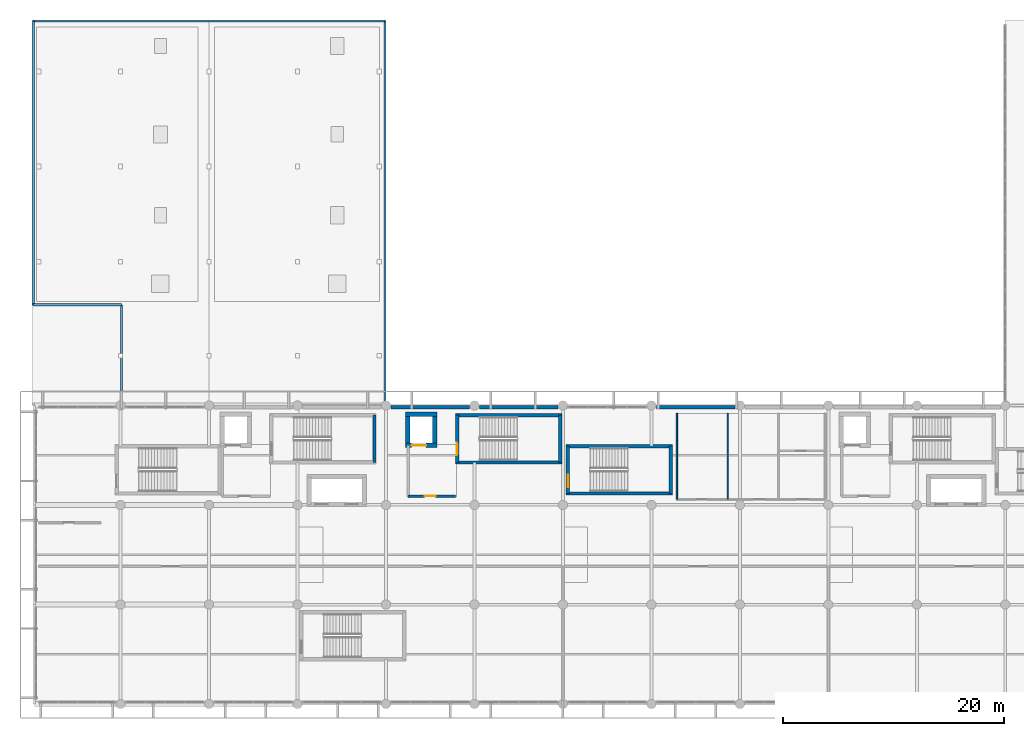
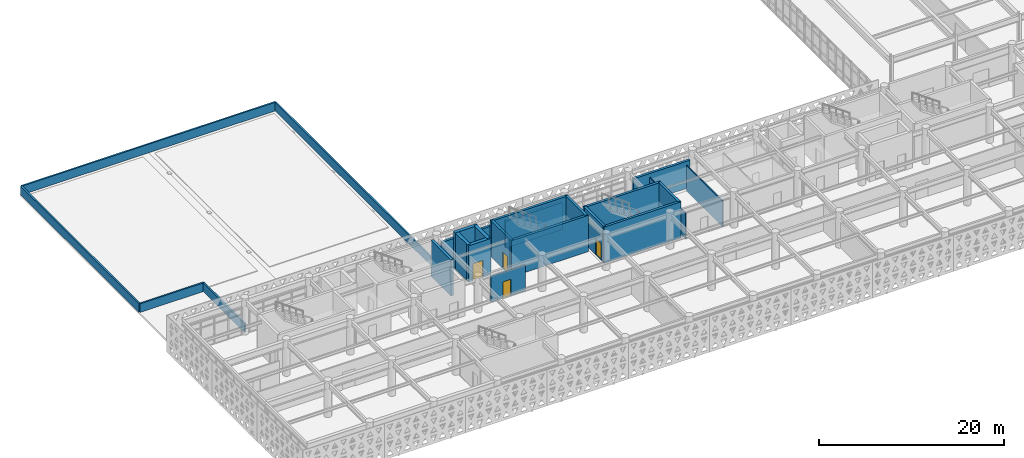
# One storey, part 37 of 54: 24 walls, 4 doors, 4 openings.
"""IFC4 building model written with IfcOpenShell, lengths in metres."""

from ifc_helpers import new_model, si_unit, direction, frame, frame_2d, origin, place, context, subcontext, project, spatial, rectangle, extrude, material, layer, layer_set, type_object, element, fill, save


model = new_model("IFC4")

# Units and contexts
model_context = context("Model", 3, precision=1e-05, world=origin(), true_north=direction((0.0, 1.0)))
body_context = subcontext(model_context, "Body", "Model", "MODEL_VIEW")
ifc_project = project(units=[si_unit("LENGTHUNIT", "METRE"), si_unit("AREAUNIT", "SQUARE_METRE"), si_unit("VOLUMEUNIT", "CUBIC_METRE"), si_unit("PLANEANGLEUNIT", "RADIAN"), si_unit("MASSUNIT", "GRAM", prefix="KILO")], contexts=[model_context])

# Site, building, storey
site_placement = place(None, origin())
site = spatial("IfcSite", under=ifc_project, at=site_placement, CompositionType="ELEMENT")
building_placement = place(site_placement, origin())
building = spatial("IfcBuilding", under=site, at=building_placement, Name="Tlacozan Convention Centre", CompositionType="ELEMENT")
storey_placement = place(building_placement, frame((0.0, 0.0, 11.39990234375)))
storey = spatial("IfcBuildingStorey", under=building, at=storey_placement, Name="L02", CompositionType="ELEMENT", Elevation=11.39990234375)

# Walls
ifc_material_1 = material(Name="Volcanic Cantera Stone Masonry", Category="masonry")
ifc_layer_1 = layer(ifc_material_1, 0.300048828125)
ifc_layer_set_1 = layer_set([ifc_layer_1], Name="Volcanic Cantera Stone Masonry")
wall_type_1 = type_object("IfcWallType", Name="Congress Spandrel Backup Wall 300", PredefinedType="SOLIDWALL", material=ifc_layer_set_1)
for number, where, z_axis, x_axis, name in (
    (1, (32.449951171875, 26.840087890625, 0.0), (0.0, 0.0, 1.0), (1.0, 0.0, 0.0), "L02 Congress Spandrel Backup Wall 300 118"),
    (2, (40.449951171875, 26.840087890625, 0.0), (0.0, 0.0, 1.0), (1.0, 0.0, 0.0), "L02 Congress Spandrel Backup Wall 300 119"),
    (3, (56.449951171875, 26.840087890625, 0.0), (0.0, 0.0, 1.0), (1.0, 0.0, 0.0), "L02 Congress Spandrel Backup Wall 300 120"),
):
    element("IfcWall", number, at=place(storey_placement, frame(where, z_axis=z_axis, x_axis=x_axis)), inside=storey, type_object=wall_type_1, Name=name, PredefinedType="SOLIDWALL", context=body_context, shape_type="SweptSolid", body=[
        extrude(rectangle(XDim=7.10009765625, YDim=0.300048828125, at=frame_2d((3.550048828125, 0.0))), origin(), (0.0, 0.0, 1.0), 3.590087890625),
    ])

# Wall, opening, door
ifc_material_2 = material(Name="Concrete C40/50", Category="concrete")
ifc_layer_2 = layer(ifc_material_2, 0.409912109375)
ifc_layer_set_2 = layer_set([ifc_layer_2], Name="Concrete C40/50")
wall_type_2 = type_object("IfcWallType", Name="Core Shear Wall RC 410", PredefinedType="SHEAR", material=ifc_layer_set_2)
wall_1_placement = place(storey_placement, frame((33.77490234375, 23.3798828125, 0.0), z_axis=(0.0, 0.0, 1.0), x_axis=(1.0, 0.0, 0.0)))
wall_1 = element("IfcWall", 4, at=wall_1_placement, inside=storey, type_object=wall_type_2, Name="L02 Core Shear Wall RC 410 205", PredefinedType="SHEAR", context=body_context, shape_type="SweptSolid", body=[
    extrude(rectangle(XDim=2.85009765625, YDim=0.409912109375, at=frame_2d((1.425048828125, 0.0))), origin(), (0.0, 0.0, 1.0), 4.800048828125),
])
opening_1_placement = place(wall_1_placement, frame((0.550048828125, 0.0, 0.0)))
opening_1 = element("IfcOpeningElement", 5, at=opening_1_placement, cuts=wall_1, Name="Opening LD-02", PredefinedType="OPENING", context=body_context, shape_type="SweptSolid", body=[
    extrude(rectangle(XDim=1.300048828125, YDim=2.25, at=frame_2d((0.64990234375, 1.125))), frame((0.0, 0.21484375, 0.0), z_axis=(0.0, -1.0, 0.0), x_axis=(1.0, 0.0, 0.0)), (0.0, 0.0, 1.0), 0.429931640625),
])
ifc_material_3 = material(Name="Brushed Stainless Steel Sliding Landing Door", Category="steel")
door_type_1 = type_object("IfcDoorType", Name="Firefighting Lift Sliding Door 1300x2250", OperationType="DOUBLE_DOOR_SLIDING", PredefinedType="DOOR", material=ifc_material_3)
door_1_placement = place(opening_1_placement, origin())
door_1 = element("IfcDoor", 6, at=door_1_placement, inside=storey, type_object=door_type_1, Name="L02 Firefighting Lift FL-03 Landing Door", OperationType="DOUBLE_DOOR_SLIDING", OverallHeight=2.25, OverallWidth=1.300048828125, PredefinedType="DOOR", context=body_context, shape_type="SweptSolid", body=[
    extrude(rectangle(XDim=1.300048828125, YDim=2.25, at=frame_2d((0.64990234375, 1.125))), frame((0.0, 0.02490234375, 0.0), z_axis=(0.0, -1.0, 0.0), x_axis=(1.0, 0.0, 0.0)), (0.0, 0.0, 1.0), 0.050048828125),
])
fill(opening_1, door_1)

# Walls
wall_2_placement = place(storey_placement, frame((33.77490234375, 26.219970703125, 0.0), z_axis=(0.0, 0.0, 1.0), x_axis=(1.0, 0.0, 0.0)))
element("IfcWall", 7, at=wall_2_placement, inside=storey, type_object=wall_type_2, Name="L02 Core Shear Wall RC 410 206", PredefinedType="SHEAR", context=body_context, shape_type="SweptSolid", body=[
    extrude(rectangle(XDim=2.85009765625, YDim=0.409912109375, at=frame_2d((1.425048828125, 0.0))), origin(), (0.0, 0.0, 1.0), 4.800048828125),
])
for number, where, z_axis, x_axis, name in (
    (8, (33.97998046875, 23.3798828125, 0.0), (0.0, 0.0, 1.0), (0.0, 1.0, 0.0), "L02 Core Shear Wall RC 410 207"),
    (9, (36.419921875, 23.3798828125, 0.0), (0.0, 0.0, 1.0), (0.0, 1.0, 0.0), "L02 Core Shear Wall RC 410 208"),
):
    element("IfcWall", number, at=place(storey_placement, frame(where, z_axis=z_axis, x_axis=x_axis)), inside=storey, type_object=wall_type_2, Name=name, PredefinedType="SHEAR", context=body_context, shape_type="SweptSolid", body=[
        extrude(rectangle(XDim=2.840087890625, YDim=0.409912109375, at=frame_2d((1.419921875, 0.0))), origin(), (0.0, 0.0, 1.0), 4.800048828125),
    ])

# Wall, opening, door
ifc_material_4 = material(Name="Fire-Rated Gypsum Stud Partition Assembly")
ifc_layer_3 = layer(ifc_material_4, 0.2099609375)
ifc_layer_set_3 = layer_set([ifc_layer_3], Name="Fire-Rated Gypsum Stud Partition Assembly")
wall_type_3 = type_object("IfcWallType", Name="Firefighting Lobby Rated Wall 210", PredefinedType="PARTITIONING", material=ifc_layer_set_3)
wall_3_placement = place(storey_placement, frame((34.0, 18.800048828125, 0.0), z_axis=(0.0, 0.0, 1.0), x_axis=(1.0, 0.0, 0.0)))
wall_3 = element("IfcWall", 10, at=wall_3_placement, inside=storey, type_object=wall_type_3, Name="L02 Firefighting Lobby Rated Wall 210 203", PredefinedType="PARTITIONING", context=body_context, shape_type="SweptSolid", body=[
    extrude(rectangle(XDim=4.300048828125, YDim=0.2099609375, at=frame_2d((2.14990234375, 0.0))), origin(), (0.0, 0.0, 1.0), 3.400146484375),
])
opening_2_placement = place(wall_3_placement, frame((1.5, 0.0, 0.0)))
opening_2 = element("IfcOpeningElement", 11, at=opening_2_placement, cuts=wall_3, Name="Opening FD-01", PredefinedType="OPENING", context=body_context, shape_type="SweptSolid", body=[
    extrude(rectangle(XDim=1.0, YDim=2.14990234375, at=frame_2d((0.5, 1.074951171875))), frame((0.0, 0.114990234375, 0.0), z_axis=(0.0, -1.0, 0.0), x_axis=(1.0, 0.0, 0.0)), (0.0, 0.0, 1.0), 0.22998046875),
])
ifc_material_5 = material(Name="Fire-Rated Insulated Steel Door Leaf", Category="steel")
door_type_2 = type_object("IfcDoorType", Name="Fire Door Single 1000x2150 FD90", OperationType="NOTDEFINED", PredefinedType="DOOR", material=ifc_material_5)
door_2_placement = place(opening_2_placement, origin())
door_2 = element("IfcDoor", 12, at=door_2_placement, inside=storey, type_object=door_type_2, Name="L02 CORE-3 Firefighting Lobby Entry Door", OperationType="SINGLE_SWING_RIGHT", OverallHeight=2.14990234375, OverallWidth=1.0, PredefinedType="DOOR", context=body_context, shape_type="SweptSolid", body=[
    extrude(rectangle(XDim=1.0, YDim=2.14990234375, at=frame_2d((0.5, 1.074951171875))), frame((0.0, 0.02490234375, 0.0), z_axis=(0.0, -1.0, 0.0), x_axis=(1.0, 0.0, 0.0)), (0.0, 0.0, 1.0), 0.050048828125),
])
fill(opening_2, door_2)

# Walls
ifc_material_6 = material(Name="Acoustic Double-Stud Partition Assembly")
ifc_layer_4 = layer(ifc_material_6, 0.1201171875)
ifc_layer_set_4 = layer_set([ifc_layer_4], Name="Acoustic Double-Stud Partition Assembly")
wall_type_4 = type_object("IfcWallType", Name="Sanitary Tile Partition 120", PredefinedType="PARTITIONING", material=ifc_layer_set_4)
for number, where, z_axis, x_axis, name in (
    (13, (58.300048828125, 18.5, 0.0), (0.0, 0.0, 1.0), (0.0, 1.0, 0.0), "L02 Sanitary Tile Partition 120 544"),
    (14, (62.89990234375, 18.5, 0.0), (0.0, 0.0, 1.0), (0.0, 1.0, 0.0), "L02 Sanitary Tile Partition 120 545"),
):
    element("IfcWall", number, at=place(storey_placement, frame(where, z_axis=z_axis, x_axis=x_axis)), inside=storey, type_object=wall_type_4, Name=name, PredefinedType="PARTITIONING", context=body_context, shape_type="SweptSolid", body=[
        extrude(rectangle(XDim=7.800048828125, YDim=0.1201171875, at=frame_2d((3.89990234375, 0.0))), origin(), (0.0, 0.0, 1.0), 3.400146484375),
    ])
ifc_material_7 = material(Name="Pale Lime-Render Masonry Assembly", Category="masonry")
ifc_layer_5 = layer(ifc_material_7, 0.199951171875)
ifc_layer_set_5 = layer_set([ifc_layer_5], Name="Pale Lime-Render Masonry Assembly")
wall_type_5 = type_object("IfcWallType", Name="Service Roof Parapet Wall 200", PredefinedType="PARAPET", material=ifc_layer_set_5)
wall_4_placement = place(storey_placement, frame((31.89990234375, 27.10009765625, 0.0), z_axis=(0.0, 0.0, 1.0), x_axis=(0.0, 1.0, 0.0)))
element("IfcWall", 15, at=wall_4_placement, inside=storey, type_object=wall_type_5, Name="L02 Service Roof Parapet Wall 200 210", PredefinedType="PARAPET", context=body_context, shape_type="SweptSolid", body=[
    extrude(rectangle(XDim=34.64990234375, YDim=0.199951171875, at=frame_2d((17.324951171875, 0.0))), origin(), (0.0, 0.0, 1.0), 1.150146484375),
])
wall_5_placement = place(storey_placement, frame((31.89990234375, 61.75, 0.0), z_axis=(0.0, 0.0, 1.0), x_axis=(-1.0, 0.0, 0.0)))
element("IfcWall", 16, at=wall_5_placement, inside=storey, type_object=wall_type_5, Name="L02 Service Roof Parapet Wall 200 211", PredefinedType="PARAPET", context=body_context, shape_type="SweptSolid", body=[
    extrude(rectangle(XDim=31.7998046875, YDim=0.199951171875, at=frame_2d((15.89990234375, 0.0))), origin(), (0.0, 0.0, 1.0), 1.150146484375),
])
wall_6_placement = place(storey_placement, frame((0.10009765625, 61.75, 0.0), z_axis=(0.0, 0.0, 1.0), x_axis=(0.0, -1.0, 0.0)))
element("IfcWall", 17, at=wall_6_placement, inside=storey, type_object=wall_type_5, Name="L02 Service Roof Parapet Wall 200 212", PredefinedType="PARAPET", context=body_context, shape_type="SweptSolid", body=[
    extrude(rectangle(XDim=25.64990234375, YDim=0.199951171875, at=frame_2d((12.824951171875, 0.0))), origin(), (0.0, 0.0, 1.0), 1.150146484375),
])
wall_7_placement = place(storey_placement, frame((0.10009765625, 36.10009765625, 0.0), z_axis=(0.0, 0.0, 1.0), x_axis=(1.0, 0.0, 0.0)))
element("IfcWall", 18, at=wall_7_placement, inside=storey, type_object=wall_type_5, Name="L02 Service Roof Parapet Wall 200 213", PredefinedType="PARAPET", context=body_context, shape_type="SweptSolid", body=[
    extrude(rectangle(XDim=8.0, YDim=0.199951171875, at=frame_2d((4.0, 0.0))), origin(), (0.0, 0.0, 1.0), 1.150146484375),
])
wall_8_placement = place(storey_placement, frame((8.10009765625, 36.10009765625, 0.0), z_axis=(0.0, 0.0, 1.0), x_axis=(0.0, -1.0, 0.0)))
element("IfcWall", 19, at=wall_8_placement, inside=storey, type_object=wall_type_5, Name="L02 Service Roof Parapet Wall 200 214", PredefinedType="PARAPET", context=body_context, shape_type="SweptSolid", body=[
    extrude(rectangle(XDim=9.0, YDim=0.199951171875, at=frame_2d((4.5, 0.0))), origin(), (0.0, 0.0, 1.0), 1.150146484375),
])
ifc_layer_6 = layer(ifc_material_2, 0.31005859375)
ifc_layer_set_6 = layer_set([ifc_layer_6], Name="Concrete C40/50")
wall_type_6 = type_object("IfcWallType", Name="Stair Shaft Shear Wall RC 310", PredefinedType="SHEAR", material=ifc_layer_set_6)
wall_9_placement = place(storey_placement, frame((30.9599609375, 21.840087890625, 0.0), z_axis=(0.0, 0.0, 1.0), x_axis=(0.0, 1.0, 0.0)))
element("IfcWall", 20, at=wall_9_placement, inside=storey, type_object=wall_type_6, Name="L02 Stair Shaft Shear Wall RC 310 46", PredefinedType="SHEAR", context=body_context, shape_type="SweptSolid", body=[
    extrude(rectangle(XDim=4.280029296875, YDim=0.31005859375, at=frame_2d((2.14013671875, 0.0))), origin(), (0.0, 0.0, 1.0), 4.800048828125),
])
for number, where, z_axis, x_axis, name in (
    (21, (38.284912109375, 21.840087890625, 0.0), (0.0, 0.0, 1.0), (1.0, 0.0, 0.0), "L02 Stair Shaft Shear Wall RC 310 199"),
    (22, (38.284912109375, 26.1201171875, 0.0), (0.0, 0.0, 1.0), (1.0, 0.0, 0.0), "L02 Stair Shaft Shear Wall RC 310 200"),
):
    element("IfcWall", number, at=place(storey_placement, frame(where, z_axis=z_axis, x_axis=x_axis)), inside=storey, type_object=wall_type_6, Name=name, PredefinedType="SHEAR", context=body_context, shape_type="SweptSolid", body=[
        extrude(rectangle(XDim=9.630126953125, YDim=0.31005859375, at=frame_2d((4.81494140625, 0.0))), origin(), (0.0, 0.0, 1.0), 4.800048828125),
    ])

# Wall, opening, door
wall_10_placement = place(storey_placement, frame((38.43994140625, 21.840087890625, 0.0), z_axis=(0.0, 0.0, 1.0), x_axis=(0.0, 1.0, 0.0)))
wall_10 = element("IfcWall", 23, at=wall_10_placement, inside=storey, type_object=wall_type_6, Name="L02 Stair Shaft Shear Wall RC 310 201", PredefinedType="SHEAR", context=body_context, shape_type="SweptSolid", body=[
    extrude(rectangle(XDim=4.280029296875, YDim=0.31005859375, at=frame_2d((2.14013671875, 0.0))), origin(), (0.0, 0.0, 1.0), 4.800048828125),
])
opening_3_placement = place(wall_10_placement, frame((0.64990234375, 0.0, 0.0)))
opening_3 = element("IfcOpeningElement", 24, at=opening_3_placement, cuts=wall_10, Name="Opening FD-02", PredefinedType="OPENING", context=body_context, shape_type="SweptSolid", body=[
    extrude(rectangle(XDim=1.14990234375, YDim=2.199951171875, at=frame_2d((0.574951171875, 1.10009765625))), frame((0.0, 0.1650390625, 0.0), z_axis=(0.0, -1.0, 0.0), x_axis=(1.0, 0.0, 0.0)), (0.0, 0.0, 1.0), 0.330078125),
])
door_type_3 = type_object("IfcDoorType", Name="Fire Door Stair 1150x2200 FD90", OperationType="NOTDEFINED", PredefinedType="DOOR", material=ifc_material_5)
door_3_placement = place(opening_3_placement, origin())
door_3 = element("IfcDoor", 25, at=door_3_placement, inside=storey, type_object=door_type_3, Name="L02 Stair ST-04 Fire Door", OperationType="SINGLE_SWING_LEFT", OverallHeight=2.199951171875, OverallWidth=1.14990234375, PredefinedType="DOOR", context=body_context, shape_type="SweptSolid", body=[
    extrude(rectangle(XDim=1.14990234375, YDim=2.199951171875, at=frame_2d((0.574951171875, 1.10009765625))), frame((0.0, 0.02490234375, 0.0), z_axis=(0.0, -1.0, 0.0), x_axis=(1.0, 0.0, 0.0)), (0.0, 0.0, 1.0), 0.050048828125),
])
fill(opening_3, door_3)

# Walls
wall_11_placement = place(storey_placement, frame((47.760009765625, 21.840087890625, 0.0), z_axis=(0.0, 0.0, 1.0), x_axis=(0.0, 1.0, 0.0)))
element("IfcWall", 26, at=wall_11_placement, inside=storey, type_object=wall_type_6, Name="L02 Stair Shaft Shear Wall RC 310 202", PredefinedType="SHEAR", context=body_context, shape_type="SweptSolid", body=[
    extrude(rectangle(XDim=4.280029296875, YDim=0.31005859375, at=frame_2d((2.14013671875, 0.0))), origin(), (0.0, 0.0, 1.0), 4.800048828125),
])
for number, where, z_axis, x_axis, name in (
    (27, (48.284912109375, 19.0400390625, 0.0), (0.0, 0.0, 1.0), (1.0, 0.0, 0.0), "L02 Stair Shaft Shear Wall RC 310 321"),
    (28, (48.284912109375, 23.320068359375, 0.0), (0.0, 0.0, 1.0), (1.0, 0.0, 0.0), "L02 Stair Shaft Shear Wall RC 310 322"),
):
    element("IfcWall", number, at=place(storey_placement, frame(where, z_axis=z_axis, x_axis=x_axis)), inside=storey, type_object=wall_type_6, Name=name, PredefinedType="SHEAR", context=body_context, shape_type="SweptSolid", body=[
        extrude(rectangle(XDim=9.630126953125, YDim=0.31005859375, at=frame_2d((4.81494140625, 0.0))), origin(), (0.0, 0.0, 1.0), 4.800048828125),
    ])

# Wall, opening, door
wall_12_placement = place(storey_placement, frame((48.43994140625, 19.0400390625, 0.0), z_axis=(0.0, 0.0, 1.0), x_axis=(0.0, 1.0, 0.0)))
wall_12 = element("IfcWall", 29, at=wall_12_placement, inside=storey, type_object=wall_type_6, Name="L02 Stair Shaft Shear Wall RC 310 323", PredefinedType="SHEAR", context=body_context, shape_type="SweptSolid", body=[
    extrude(rectangle(XDim=4.280029296875, YDim=0.31005859375, at=frame_2d((2.14013671875, 0.0))), origin(), (0.0, 0.0, 1.0), 4.800048828125),
])
opening_4_placement = place(wall_12_placement, frame((0.550048828125, 0.0, 0.0)))
opening_4 = element("IfcOpeningElement", 30, at=opening_4_placement, cuts=wall_12, Name="Opening FD-02", PredefinedType="OPENING", context=body_context, shape_type="SweptSolid", body=[
    extrude(rectangle(XDim=1.14990234375, YDim=2.199951171875, at=frame_2d((0.574951171875, 1.10009765625))), frame((0.0, 0.1650390625, 0.0), z_axis=(0.0, -1.0, 0.0), x_axis=(1.0, 0.0, 0.0)), (0.0, 0.0, 1.0), 0.330078125),
])
door_4_placement = place(opening_4_placement, origin())
door_4 = element("IfcDoor", 31, at=door_4_placement, inside=storey, type_object=door_type_3, Name="L02 Stair ST-14 Access Door", OperationType="SINGLE_SWING_LEFT", OverallHeight=2.199951171875, OverallWidth=1.14990234375, PredefinedType="DOOR", context=body_context, shape_type="SweptSolid", body=[
    extrude(rectangle(XDim=1.14990234375, YDim=2.199951171875, at=frame_2d((0.574951171875, 1.10009765625))), frame((0.0, 0.02490234375, 0.0), z_axis=(0.0, -1.0, 0.0), x_axis=(1.0, 0.0, 0.0)), (0.0, 0.0, 1.0), 0.050048828125),
])
fill(opening_4, door_4)

# Wall
wall_13_placement = place(storey_placement, frame((57.760009765625, 19.0400390625, 0.0), z_axis=(0.0, 0.0, 1.0), x_axis=(0.0, 1.0, 0.0)))
element("IfcWall", 32, at=wall_13_placement, inside=storey, type_object=wall_type_6, Name="L02 Stair Shaft Shear Wall RC 310 324", PredefinedType="SHEAR", context=body_context, shape_type="SweptSolid", body=[
    extrude(rectangle(XDim=4.280029296875, YDim=0.31005859375, at=frame_2d((2.14013671875, 0.0))), origin(), (0.0, 0.0, 1.0), 4.800048828125),
])

save(model, "model.ifc")
